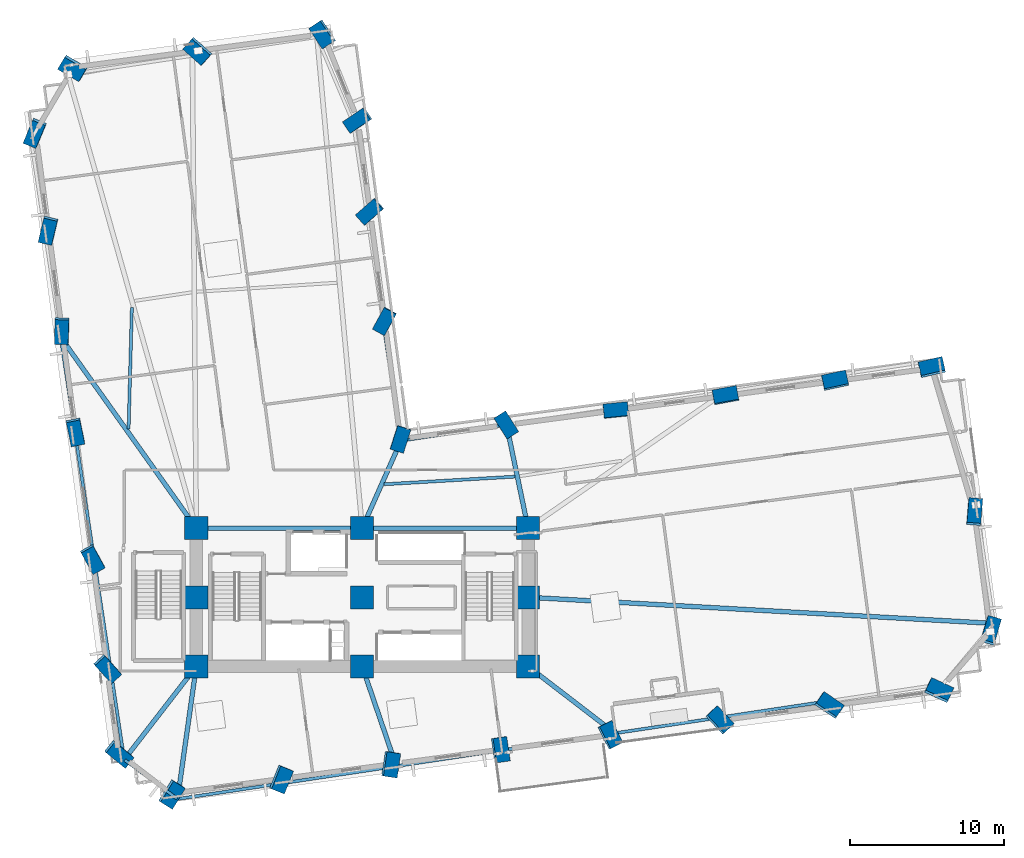
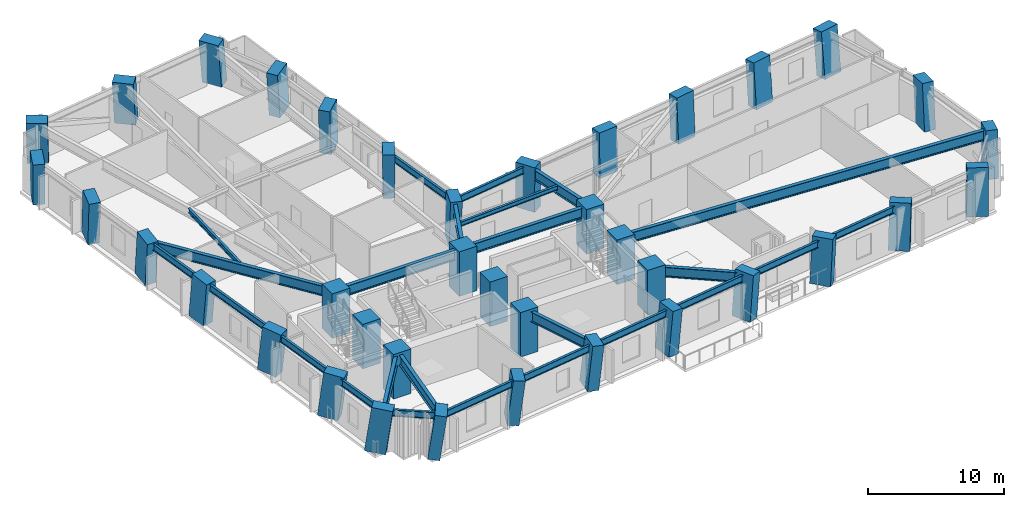
# One storey, part 1 of 14: 38 columns, 25 beams.
"""IFC4 building model written with IfcOpenShell, lengths in metres."""

from ifc_helpers import new_model, si_unit, direction, frame, origin, origin_2d, place, context, subcontext, project, spatial, rectangle, i_section, extrude, material, material_profile, profile_set, type_object, element, save


model = new_model("IFC4")

# Units and contexts
model_context = context("Model", 3, precision=1e-05, world=origin(), true_north=direction((0.0, 1.0)))
body_context = subcontext(model_context, "Body", "Model", "MODEL_VIEW")
ifc_project = project(units=[si_unit("LENGTHUNIT", "METRE"), si_unit("AREAUNIT", "SQUARE_METRE"), si_unit("VOLUMEUNIT", "CUBIC_METRE"), si_unit("PLANEANGLEUNIT", "RADIAN"), si_unit("MASSUNIT", "GRAM", prefix="KILO")], contexts=[model_context])

# Site, building, storey
site_placement = place(None, origin())
site = spatial("IfcSite", under=ifc_project, at=site_placement, CompositionType="ELEMENT")
building_placement = place(site_placement, origin())
building = spatial("IfcBuilding", under=site, at=building_placement, Name="Gaonmaruhae Medical Tower", CompositionType="ELEMENT")
storey_placement = place(building_placement, frame((0.0, 0.0, 55.0)))
storey = spatial("IfcBuildingStorey", under=building, at=storey_placement, Name="L12", CompositionType="ELEMENT", Elevation=55.0)

# Columns
ifc_material_1 = material(Name="Concrete C60/75", Category="concrete")
ifc_material_profile_1 = material_profile(ifc_material_1, rectangle(XDim=1.5, YDim=1.5, at=origin_2d()), Name="RC-1500x1500")
ifc_profile_set_1 = profile_set([ifc_material_profile_1], Name="Concrete C60/75")
column_type_1 = type_object("IfcColumnType", Name="CC-02 Zone 1 Core Column (RC-1500x1500)", PredefinedType="COLUMN", material=ifc_profile_set_1)
for number, where, z_axis, x_axis, name in (
    (1, (14.0, 7.800048828125, 0.0), (0.0, 0.0, 1.0), (1.0, 0.0, 0.0), "L12 Plumb Core Column CC11"),
    (2, (14.0, 12.300048828125, 0.0), (0.0, 0.0, 1.0), (1.0, 0.0, 0.0), "L12 Plumb Core Column CC12"),
    (3, (14.0, 16.800048828125, 0.0), (0.0, 0.0, 1.0), (1.0, 0.0, 0.0), "L12 Plumb Core Column CC13"),
    (4, (24.800048828125, 7.800048828125, 0.0), (0.0, 0.0, 1.0), (1.0, 0.0, 0.0), "L12 Plumb Core Column CC21"),
    (5, (24.800048828125, 12.300048828125, 0.0), (0.0, 0.0, 1.0), (1.0, 0.0, 0.0), "L12 Plumb Core Column CC22"),
    (6, (24.800048828125, 16.800048828125, 0.0), (0.0, 0.0, 1.0), (1.0, 0.0, 0.0), "L12 Plumb Core Column CC23"),
    (7, (35.60009765625, 7.800048828125, 0.0), (0.0, 0.0, 1.0), (1.0, 0.0, 0.0), "L12 Plumb Core Column CC31"),
    (8, (35.60009765625, 12.300048828125, 0.0), (0.0, 0.0, 1.0), (1.0, 0.0, 0.0), "L12 Plumb Core Column CC32"),
    (9, (35.60009765625, 16.800048828125, 0.0), (0.0, 0.0, 1.0), (1.0, 0.0, 0.0), "L12 Plumb Core Column CC33"),
):
    element("IfcColumn", number, at=place(storey_placement, frame(where, z_axis=z_axis, x_axis=x_axis)), inside=storey, type_object=column_type_1, Name=name, PredefinedType="COLUMN", context=body_context, shape_type="SweptSolid", body=[
        extrude(rectangle(XDim=1.5, YDim=1.5, at=origin_2d()), origin(), (0.0, 0.0, 1.0), 4.0),
    ])
ifc_material_profile_2 = material_profile(ifc_material_1, rectangle(XDim=1.60009765625, YDim=0.89990234375, at=origin_2d()), Name="RC-1600x900")
ifc_profile_set_2 = profile_set([ifc_material_profile_2], Name="Concrete C60/75")
column_type_2 = type_object("IfcColumnType", Name="TC-01 Lower Raking Tube Pier Column (RC-1600x900)", PredefinedType="COLUMN", material=ifc_profile_set_2)
column_1_placement = place(storey_placement, frame((12.357177734375, -0.481689453125, 0.001708984375), z_axis=(0.104583468391, -0.086366093399, 0.990758899052), x_axis=(0.530124964571, 0.847729750329, 0.017938571469)))
element("IfcColumn", 10, at=column_1_placement, inside=storey, type_object=column_type_2, Name="L12 Perimeter Tube Column S01", PredefinedType="COLUMN", context=body_context, shape_type="SweptSolid", body=[
    extrude(rectangle(XDim=1.60009765625, YDim=0.89990234375, at=origin_2d()), origin(), (0.0, 0.0, 1.0), 4.033935546875),
])
column_2_placement = place(storey_placement, frame((19.493896484375, 0.470458984375, 0.001708984375), z_axis=(0.100662281342, -0.057217921221, 0.993273987682), x_axis=(0.375615177917, 0.926649194649, 0.015313659767)))
element("IfcColumn", 11, at=column_2_placement, inside=storey, type_object=column_type_2, Name="L12 Perimeter Tube Column S02", PredefinedType="COLUMN", context=body_context, shape_type="SweptSolid", body=[
    extrude(rectangle(XDim=1.60009765625, YDim=0.89990234375, at=origin_2d()), origin(), (0.0, 0.0, 1.0), 4.023681640625),
])
column_3_placement = place(storey_placement, frame((26.630615234375, 1.4228515625, 0.001708984375), z_axis=(0.096696373059, -0.027957468012, 0.994921198598), x_axis=(0.148903026173, 0.988762188651, 0.013312516319)))
element("IfcColumn", 12, at=column_3_placement, inside=storey, type_object=column_type_2, Name="L12 Perimeter Tube Column S03", PredefinedType="COLUMN", context=body_context, shape_type="SweptSolid", body=[
    extrude(rectangle(XDim=1.60009765625, YDim=0.89990234375, at=origin_2d()), origin(), (0.0, 0.0, 1.0), 4.01708984375),
])
column_4_placement = place(storey_placement, frame((33.767578125, 2.375244140625, 0.001708984375), z_axis=(0.092515284398, 0.001459807249, 0.995710194341), x_axis=(-0.147311180333, 0.989014492108, 0.012237260689)))
element("IfcColumn", 13, at=column_4_placement, inside=storey, type_object=column_type_2, Name="L12 Perimeter Tube Column S04", PredefinedType="COLUMN", context=body_context, shape_type="SweptSolid", body=[
    extrude(rectangle(XDim=1.60009765625, YDim=0.89990234375, at=origin_2d()), origin(), (0.0, 0.0, 1.0), 4.013916015625),
])
column_5_placement = place(storey_placement, frame((40.904296875, 3.327392578125, 0.001708984375), z_axis=(0.088309786879, 0.030896261525, 0.995613781828), x_axis=(-0.451622763535, 0.892123181344, 0.012373712677)))
element("IfcColumn", 14, at=column_5_placement, inside=storey, type_object=column_type_2, Name="L12 Perimeter Tube Column S05", PredefinedType="COLUMN", context=body_context, shape_type="SweptSolid", body=[
    extrude(rectangle(XDim=1.60009765625, YDim=0.89990234375, at=origin_2d()), origin(), (0.0, 0.0, 1.0), 4.01416015625),
])
column_6_placement = place(storey_placement, frame((48.041015625, 4.27978515625, 0.001708984375), z_axis=(0.084091496112, 0.060212913762, 0.994637132475), x_axis=(-0.684023810281, 0.729331418583, 0.01367877322)))
element("IfcColumn", 15, at=column_6_placement, inside=storey, type_object=column_type_2, Name="L12 Perimeter Tube Column S06", PredefinedType="COLUMN", context=body_context, shape_type="SweptSolid", body=[
    extrude(rectangle(XDim=1.60009765625, YDim=0.89990234375, at=origin_2d()), origin(), (0.0, 0.0, 1.0), 4.01806640625),
])
column_7_placement = place(storey_placement, frame((55.177734375, 5.23193359375, 0.001708984375), z_axis=(0.079750924179, 0.08945445868, 0.992792873622), x_axis=(-0.82725165899, 0.561607933278, 0.015849983506)))
element("IfcColumn", 16, at=column_7_placement, inside=storey, type_object=column_type_2, Name="L12 Perimeter Tube Column S07", PredefinedType="COLUMN", context=body_context, shape_type="SweptSolid", body=[
    extrude(rectangle(XDim=1.60009765625, YDim=0.89990234375, at=origin_2d()), origin(), (0.0, 0.0, 1.0), 4.025634765625),
])
column_8_placement = place(storey_placement, frame((62.314453125, 6.184326171875, 0.001708984375), z_axis=(0.075420837867, 0.118483898461, 0.990087502709), x_axis=(-0.906496036526, 0.421805500861, 0.018575661659)))
element("IfcColumn", 17, at=column_8_placement, inside=storey, type_object=column_type_2, Name="L12 Perimeter Tube Column S08", PredefinedType="COLUMN", context=body_context, shape_type="SweptSolid", body=[
    extrude(rectangle(XDim=1.60009765625, YDim=0.89990234375, at=origin_2d()), origin(), (0.0, 0.0, 1.0), 4.03662109375),
])
column_9_placement = place(storey_placement, frame((65.680908203125, 10.063720703125, 0.001708984375), z_axis=(0.059355618192, 0.132069272658, 0.989461781884), x_axis=(-0.281414427626, -0.948792526854, 0.143522335926)))
element("IfcColumn", 18, at=column_9_placement, inside=storey, type_object=column_type_2, Name="L12 Perimeter Tube Column E01", PredefinedType="COLUMN", context=body_context, shape_type="SweptSolid", body=[
    extrude(rectangle(XDim=1.60009765625, YDim=0.89990234375, at=origin_2d()), origin(), (0.0, 0.0, 1.0), 4.0390625),
])
column_10_placement = place(storey_placement, frame((64.649169921875, 17.795166015625, 0.001708984375), z_axis=(0.027737563791, 0.127847155378, 0.991405937251), x_axis=(-0.079107913013, -0.988396190327, 0.129672314108)))
element("IfcColumn", 19, at=column_10_placement, inside=storey, type_object=column_type_2, Name="L12 Perimeter Tube Column E02", PredefinedType="COLUMN", context=body_context, shape_type="SweptSolid", body=[
    extrude(rectangle(XDim=1.60009765625, YDim=0.89990234375, at=origin_2d()), origin(), (0.0, 0.0, 1.0), 4.03125),
])
column_11_placement = place(storey_placement, frame((61.87939453125, 27.21142578125, 0.001708984375), z_axis=(-0.01085970606, 0.11636266046, 0.993147420092), x_axis=(-0.974721493015, -0.222888100092, 0.015456580863)))
element("IfcColumn", 20, at=column_11_placement, inside=storey, type_object=column_type_2, Name="L12 Perimeter Tube Column E03", PredefinedType="COLUMN", context=body_context, shape_type="SweptSolid", body=[
    extrude(rectangle(XDim=1.60009765625, YDim=0.89990234375, at=origin_2d()), origin(), (0.0, 0.0, 1.0), 4.024169921875),
])
column_12_placement = place(storey_placement, frame((55.585205078125, 26.37158203125, 0.001708984375), z_axis=(-0.007239239153, 0.090703408213, 0.995851638124), x_axis=(-0.977594963145, -0.21015057651, 0.012034252227)))
element("IfcColumn", 21, at=column_12_placement, inside=storey, type_object=column_type_2, Name="L12 Perimeter Tube Column EN01", PredefinedType="COLUMN", context=body_context, shape_type="SweptSolid", body=[
    extrude(rectangle(XDim=1.60009765625, YDim=0.89990234375, at=origin_2d()), origin(), (0.0, 0.0, 1.0), 4.01318359375),
])
column_13_placement = place(storey_placement, frame((48.448486328125, 25.41943359375, 0.001708984375), z_axis=(-0.003048590926, 0.061398621247, 0.998108669135), x_axis=(-0.98344957441, -0.180999535302, 0.008130363673)))
element("IfcColumn", 22, at=column_13_placement, inside=storey, type_object=column_type_2, Name="L12 Perimeter Tube Column EN02", PredefinedType="COLUMN", context=body_context, shape_type="SweptSolid", body=[
    extrude(rectangle(XDim=1.60009765625, YDim=0.89990234375, at=origin_2d()), origin(), (0.0, 0.0, 1.0), 4.004150390625),
])
column_14_placement = place(storey_placement, frame((41.311767578125, 24.467041015625, 0.001708984375), z_axis=(0.001099008832, 0.03199336823, 0.999487476945), x_axis=(-0.995169392808, -0.098081366019, 0.004233823144)))
element("IfcColumn", 23, at=column_14_placement, inside=storey, type_object=column_type_2, Name="L12 Perimeter Tube Column EN03", PredefinedType="COLUMN", context=body_context, shape_type="SweptSolid", body=[
    extrude(rectangle(XDim=1.60009765625, YDim=0.89990234375, at=origin_2d()), origin(), (0.0, 0.0, 1.0), 3.99853515625),
])
column_15_placement = place(storey_placement, frame((34.175048828125, 23.5146484375, 0.001708984375), z_axis=(0.005314508959, 0.002443452395, 0.999982892621), x_axis=(-0.534225748842, 0.845341499516, 0.000773609051)))
element("IfcColumn", 24, at=column_15_placement, inside=storey, type_object=column_type_2, Name="L12 Perimeter Tube Column EN04", PredefinedType="COLUMN", context=body_context, shape_type="SweptSolid", body=[
    extrude(rectangle(XDim=1.60009765625, YDim=0.89990234375, at=origin_2d()), origin(), (0.0, 0.0, 1.0), 3.99658203125),
])
column_16_placement = place(storey_placement, frame((27.2861328125, 22.595458984375, 0.001708984375), z_axis=(0.009342779553, -0.026074293262, 0.999616348256), x_axis=(0.303914659334, 0.952445133146, 0.022003367683)))
element("IfcColumn", 25, at=column_16_placement, inside=storey, type_object=column_type_2, Name="L12 Perimeter Tube Column KN01", PredefinedType="COLUMN", context=body_context, shape_type="SweptSolid", body=[
    extrude(rectangle(XDim=1.60009765625, YDim=0.89990234375, at=origin_2d()), origin(), (0.0, 0.0, 1.0), 3.998046875),
])
column_17_placement = place(storey_placement, frame((26.260986328125, 30.27734375, 0.001708984375), z_axis=(-0.022402943156, -0.030582764363, 0.999281142953), x_axis=(0.478639719495, 0.877206908707, 0.037577363367)))
element("IfcColumn", 26, at=column_17_placement, inside=storey, type_object=column_type_2, Name="L12 Perimeter Tube Column NE01", PredefinedType="COLUMN", context=body_context, shape_type="SweptSolid", body=[
    extrude(rectangle(XDim=1.60009765625, YDim=0.89990234375, at=origin_2d()), origin(), (0.0, 0.0, 1.0), 3.99951171875),
])
column_18_placement = place(storey_placement, frame((25.308837890625, 37.414306640625, 0.001708984375), z_axis=(-0.051944682032, -0.034751723895, 0.998045123076), x_axis=(0.748695807383, 0.660012861468, 0.061948451981)))
element("IfcColumn", 27, at=column_18_placement, inside=storey, type_object=column_type_2, Name="L12 Perimeter Tube Column NE02", PredefinedType="COLUMN", context=body_context, shape_type="SweptSolid", body=[
    extrude(rectangle(XDim=1.60009765625, YDim=0.89990234375, at=origin_2d()), origin(), (0.0, 0.0, 1.0), 4.00439453125),
])
column_19_placement = place(storey_placement, frame((24.51513671875, 43.361572265625, 0.001708984375), z_axis=(-0.076324130857, -0.038162065429, 0.99635248974), x_axis=(0.824189501878, 0.559961890476, 0.084583368398)))
element("IfcColumn", 28, at=column_19_placement, inside=storey, type_object=column_type_2, Name="L12 Perimeter Tube Column NE03", PredefinedType="COLUMN", context=body_context, shape_type="SweptSolid", body=[
    extrude(rectangle(XDim=1.60009765625, YDim=0.89990234375, at=origin_2d()), origin(), (0.0, 0.0, 1.0), 4.01123046875),
])
column_20_placement = place(storey_placement, frame((22.254638671875, 48.961669921875, 0.001708984375), z_axis=(-0.099150741253, -0.047541353583, 0.9939360896), x_axis=(0.547089007496, -0.836948101272, 0.014542821377)))
element("IfcColumn", 29, at=column_20_placement, inside=storey, type_object=column_type_2, Name="L12 Perimeter Tube Column N01", PredefinedType="COLUMN", context=body_context, shape_type="SweptSolid", body=[
    extrude(rectangle(XDim=1.60009765625, YDim=0.89990234375, at=origin_2d()), origin(), (0.0, 0.0, 1.0), 4.02099609375),
])
column_21_placement = place(storey_placement, frame((14.126708984375, 47.877197265625, 0.001708984375), z_axis=(-0.0942550357, -0.080919918109, 0.992253977114), x_axis=(0.745242646619, -0.666590927141, 0.016429653498)))
element("IfcColumn", 30, at=column_21_placement, inside=storey, type_object=column_type_2, Name="L12 Perimeter Tube Column N02", PredefinedType="COLUMN", context=body_context, shape_type="SweptSolid", body=[
    extrude(rectangle(XDim=1.60009765625, YDim=0.89990234375, at=origin_2d()), origin(), (0.0, 0.0, 1.0), 4.02783203125),
])
column_22_placement = place(storey_placement, frame((5.998779296875, 46.79248046875, 0.001708984375), z_axis=(-0.089275820597, -0.113936981601, 0.989468641282), x_axis=(0.86094163533, -0.508343404316, 0.019143767761)))
element("IfcColumn", 31, at=column_22_placement, inside=storey, type_object=column_type_2, Name="L12 Perimeter Tube Column N03", PredefinedType="COLUMN", context=body_context, shape_type="SweptSolid", body=[
    extrude(rectangle(XDim=1.60009765625, YDim=0.89990234375, at=origin_2d()), origin(), (0.0, 0.0, 1.0), 4.0390625),
])
column_23_placement = place(storey_placement, frame((3.5341796875, 42.57958984375, 0.001708984375), z_axis=(-0.071883508788, -0.123937084117, 0.98968295951), x_axis=(0.377774089532, 0.914941616728, 0.142016109148)))
element("IfcColumn", 32, at=column_23_placement, inside=storey, type_object=column_type_2, Name="L12 Perimeter Tube Column W01", PredefinedType="COLUMN", context=body_context, shape_type="SweptSolid", body=[
    extrude(rectangle(XDim=1.60009765625, YDim=0.89990234375, at=origin_2d()), origin(), (0.0, 0.0, 1.0), 4.038330078125),
])
column_24_placement = place(storey_placement, frame((4.380859375, 36.23583984375, 0.001708984375), z_axis=(-0.0460385753, -0.120487797725, 0.991646681124), x_axis=(0.227297063468, 0.965396391624, 0.127850897445)))
element("IfcColumn", 33, at=column_24_placement, inside=storey, type_object=column_type_2, Name="L12 Perimeter Tube Column W02", PredefinedType="COLUMN", context=body_context, shape_type="SweptSolid", body=[
    extrude(rectangle(XDim=1.60009765625, YDim=0.89990234375, at=origin_2d()), origin(), (0.0, 0.0, 1.0), 4.0302734375),
])
column_25_placement = place(storey_placement, frame((5.253662109375, 29.69384765625, 0.001708984375), z_axis=(-0.019167847977, -0.116826820265, 0.992967314503), x_axis=(0.028843585156, 0.992671797796, 0.11734883662)))
element("IfcColumn", 34, at=column_25_placement, inside=storey, type_object=column_type_2, Name="L12 Perimeter Tube Column W03", PredefinedType="COLUMN", context=body_context, shape_type="SweptSolid", body=[
    extrude(rectangle(XDim=1.60009765625, YDim=0.89990234375, at=origin_2d()), origin(), (0.0, 0.0, 1.0), 4.02490234375),
])
column_26_placement = place(storey_placement, frame((6.13330078125, 23.102294921875, 0.001708984375), z_axis=(0.007890177532, -0.1130723134, 0.993555432294), x_axis=(-0.200490060947, 0.973232171477, 0.112351572595)))
element("IfcColumn", 35, at=column_26_placement, inside=storey, type_object=column_type_2, Name="L12 Perimeter Tube Column W04", PredefinedType="COLUMN", context=body_context, shape_type="SweptSolid", body=[
    extrude(rectangle(XDim=1.60009765625, YDim=0.89990234375, at=origin_2d()), origin(), (0.0, 0.0, 1.0), 4.0224609375),
])
column_27_placement = place(storey_placement, frame((7.237548828125, 14.82568359375, 0.001708984375), z_axis=(0.041986855269, -0.10818289443, 0.993243960635), x_axis=(-0.479510058518, 0.869965068646, 0.115025575925)))
element("IfcColumn", 36, at=column_27_placement, inside=storey, type_object=column_type_2, Name="L12 Perimeter Tube Column W05", PredefinedType="COLUMN", context=body_context, shape_type="SweptSolid", body=[
    extrude(rectangle(XDim=1.60009765625, YDim=0.89990234375, at=origin_2d()), origin(), (0.0, 0.0, 1.0), 4.023681640625),
])
column_28_placement = place(storey_placement, frame((8.18994140625, 7.688720703125, 0.001708984375), z_axis=(0.071206194671, -0.103870142695, 0.992038644054), x_axis=(-0.66508150419, 0.736263995818, 0.124827566051)))
element("IfcColumn", 37, at=column_28_placement, inside=storey, type_object=column_type_2, Name="L12 Perimeter Tube Column W06", PredefinedType="COLUMN", context=body_context, shape_type="SweptSolid", body=[
    extrude(rectangle(XDim=1.60009765625, YDim=0.89990234375, at=origin_2d()), origin(), (0.0, 0.0, 1.0), 4.028564453125),
])
column_29_placement = place(storey_placement, frame((8.9306640625, 2.137939453125, 0.001708984375), z_axis=(0.093846485849, -0.100502264988, 0.990500949937), x_axis=(-0.766734755171, 0.627328206599, 0.136297969238)))
element("IfcColumn", 38, at=column_29_placement, inside=storey, type_object=column_type_2, Name="L12 Perimeter Tube Column W07", PredefinedType="COLUMN", context=body_context, shape_type="SweptSolid", body=[
    extrude(rectangle(XDim=1.60009765625, YDim=0.89990234375, at=origin_2d()), origin(), (0.0, 0.0, 1.0), 4.034912109375),
])

# Beams
ifc_material_2 = material(Name="Steel SM355", Category="steel")
ifc_material_profile_3 = material_profile(ifc_material_2, i_section(OverallWidth=0.199951171875, OverallDepth=0.39990234375, WebThickness=0.008056640625, FlangeThickness=0.012939453125, FilletRadius=0.012939453125, at=origin_2d()), Name="H-400x200x8x13")
ifc_profile_set_3 = profile_set([ifc_material_profile_3], Name="Steel SM355")
beam_type_1 = type_object("IfcBeamType", Name="FJ-01 Lower Zone Ward Floor Joist (H-400x200x8x13)", PredefinedType="JOIST", material=ifc_profile_set_3)
beam_1_placement = place(storey_placement, frame((34.74072265625, 20.153076171875, 3.580078125), z_axis=(-0.998294670114, -0.058375950711, 0.0), x_axis=(0.058375950711, -0.998294670114, 0.0)))
element("IfcBeam", 39, at=beam_1_placement, inside=storey, type_object=beam_type_1, Name="L12 Secondary Floor Joist FJ06", PredefinedType="JOIST", context=body_context, shape_type="SweptSolid", body=[
    extrude(i_section(OverallWidth=0.199951171875, OverallDepth=0.39990234375, WebThickness=0.008056640625, FlangeThickness=0.012939453125, FilletRadius=0.012939453125, at=origin_2d()), origin(), (0.0, 0.0, 1.0), 8.519287109375),
])
beam_2_placement = place(storey_placement, frame((9.80810546875, 31.16552734375, 3.580078125), z_axis=(-0.026944558206, -0.999636929481, 0.0), x_axis=(0.999636929481, -0.026944558206, 0.0)))
element("IfcBeam", 40, at=beam_2_placement, inside=storey, type_object=beam_type_1, Name="L12 Secondary Floor Joist FJ10", PredefinedType="JOIST", context=body_context, shape_type="SweptSolid", body=[
    extrude(i_section(OverallWidth=0.199951171875, OverallDepth=0.39990234375, WebThickness=0.008056640625, FlangeThickness=0.012939453125, FilletRadius=0.012939453125, at=origin_2d()), origin(), (0.0, 0.0, 1.0), 7.901123046875),
])
ifc_material_3 = material(Name="Steel SM420", Category="steel")
ifc_material_profile_4 = material_profile(ifc_material_3, i_section(OverallWidth=0.300048828125, OverallDepth=0.89990234375, WebThickness=0.01611328125, FlangeThickness=0.028076171875, FilletRadius=0.01806640625, at=origin_2d()), Name="H-900x300x16x28")
ifc_profile_set_4 = profile_set([ifc_material_profile_4], Name="Steel SM420")
beam_type_2 = type_object("IfcBeamType", Name="PG-01 Zone 1 Radial Floor Girder (H-900x300x16x28)", PredefinedType="BEAM", material=ifc_profile_set_4)
for number, where, z_axis, x_axis, name in (
    (41, (14.050048828125, 16.800048828125, 3.330078125), (1.0, 0.0, 0.0), (0.0, 1.0, 0.0), "L12 Beam BM-L12-CG-N1"),
    (42, (24.85009765625, 16.800048828125, 3.330078125), (1.0, 0.0, 0.0), (0.0, 1.0, 0.0), "L12 Beam BM-L12-CG-N2"),
):
    element("IfcBeam", number, at=place(storey_placement, frame(where, z_axis=z_axis, x_axis=x_axis)), inside=storey, type_object=beam_type_2, Name=name, PredefinedType="BEAM", context=body_context, shape_type="SweptSolid", body=[
        extrude(i_section(OverallWidth=0.300048828125, OverallDepth=0.89990234375, WebThickness=0.01611328125, FlangeThickness=0.028076171875, FilletRadius=0.01806640625, at=origin_2d()), origin(), (0.0, 0.0, 1.0), 10.699951171875),
    ])
beam_3_placement = place(storey_placement, frame((13.992919921875, 7.75048828125, 3.330078125), z_axis=(-0.140060569498, -0.990142937596, 0.0), x_axis=(0.990142937596, -0.140060569498, 0.0)))
element("IfcBeam", 43, at=beam_3_placement, inside=storey, type_object=beam_type_2, Name="L12 Radial Primary Girder S01", PredefinedType="BEAM", context=body_context, shape_type="SweptSolid", body=[
    extrude(i_section(OverallWidth=0.300048828125, OverallDepth=0.89990234375, WebThickness=0.01611328125, FlangeThickness=0.028076171875, FilletRadius=0.01806640625, at=origin_2d()), origin(), (0.0, 0.0, 1.0), 8.6162109375),
])
beam_4_placement = place(storey_placement, frame((24.816162109375, 7.752685546875, 3.330078125), z_axis=(0.323565977797, -0.946205610855, 0.0), x_axis=(0.946205610855, 0.323565977797, 0.0)))
element("IfcBeam", 44, at=beam_4_placement, inside=storey, type_object=beam_type_2, Name="L12 Radial Primary Girder S03", PredefinedType="BEAM", context=body_context, shape_type="SweptSolid", body=[
    extrude(i_section(OverallWidth=0.300048828125, OverallDepth=0.89990234375, WebThickness=0.01611328125, FlangeThickness=0.028076171875, FilletRadius=0.01806640625, at=origin_2d()), origin(), (0.0, 0.0, 1.0), 6.75830078125),
])
beam_5_placement = place(storey_placement, frame((35.6396484375, 7.76953125, 3.330078125), z_axis=(0.792938582893, -0.609301570456, 0.0), x_axis=(0.609301570456, 0.792938582893, 0.0)))
element("IfcBeam", 45, at=beam_5_placement, inside=storey, type_object=beam_type_2, Name="L12 Radial Primary Girder S05", PredefinedType="BEAM", context=body_context, shape_type="SweptSolid", body=[
    extrude(i_section(OverallWidth=0.300048828125, OverallDepth=0.89990234375, WebThickness=0.01611328125, FlangeThickness=0.028076171875, FilletRadius=0.01806640625, at=origin_2d()), origin(), (0.0, 0.0, 1.0), 7.036865234375),
])
beam_6_placement = place(storey_placement, frame((35.64990234375, 12.297119140625, 3.330078125), z_axis=(0.998427093377, -0.056065490375, 0.0), x_axis=(0.056065490375, 0.998427093377, 0.0)))
element("IfcBeam", 46, at=beam_6_placement, inside=storey, type_object=beam_type_2, Name="L12 Radial Primary Girder E01", PredefinedType="BEAM", context=body_context, shape_type="SweptSolid", body=[
    extrude(i_section(OverallWidth=0.300048828125, OverallDepth=0.89990234375, WebThickness=0.01611328125, FlangeThickness=0.028076171875, FilletRadius=0.01806640625, at=origin_2d()), origin(), (0.0, 0.0, 1.0), 30.2685546875),
])
beam_7_placement = place(storey_placement, frame((35.58984375, 16.848876953125, 3.330078125), z_axis=(-0.204341646842, 0.978899632938, 0.0), x_axis=(-0.978899632938, -0.204341646842, 0.0)))
element("IfcBeam", 47, at=beam_7_placement, inside=storey, type_object=beam_type_2, Name="L12 Radial Primary Girder EN04", PredefinedType="BEAM", context=body_context, shape_type="SweptSolid", body=[
    extrude(i_section(OverallWidth=0.300048828125, OverallDepth=0.89990234375, WebThickness=0.01611328125, FlangeThickness=0.028076171875, FilletRadius=0.01806640625, at=origin_2d()), origin(), (0.0, 0.0, 1.0), 6.76953125),
])
beam_8_placement = place(storey_placement, frame((24.8203125, 16.845703125, 3.330078125), z_axis=(0.405332155201, 0.91416948317, 0.0), x_axis=(-0.91416948317, 0.405332155201, 0.0)))
element("IfcBeam", 48, at=beam_8_placement, inside=storey, type_object=beam_type_2, Name="L12 Radial Primary Girder KN01", PredefinedType="BEAM", context=body_context, shape_type="SweptSolid", body=[
    extrude(i_section(OverallWidth=0.300048828125, OverallDepth=0.89990234375, WebThickness=0.01611328125, FlangeThickness=0.028076171875, FilletRadius=0.01806640625, at=origin_2d()), origin(), (0.0, 0.0, 1.0), 6.125732421875),
])
beam_9_placement = place(storey_placement, frame((13.970947265625, 16.8408203125, 3.330078125), z_axis=(-0.579051440036, 0.815291009267, 0.0), x_axis=(-0.815291009267, -0.579051440036, 0.0)))
element("IfcBeam", 49, at=beam_9_placement, inside=storey, type_object=beam_type_2, Name="L12 Radial Primary Girder W03", PredefinedType="BEAM", context=body_context, shape_type="SweptSolid", body=[
    extrude(i_section(OverallWidth=0.300048828125, OverallDepth=0.89990234375, WebThickness=0.01611328125, FlangeThickness=0.028076171875, FilletRadius=0.01806640625, at=origin_2d()), origin(), (0.0, 0.0, 1.0), 15.137939453125),
])
beam_10_placement = place(storey_placement, frame((13.969482421875, 7.760498046875, 3.330078125), z_axis=(-0.611604462349, -0.791163688269, 0.0), x_axis=(0.791163688269, -0.611604462349, 0.0)))
element("IfcBeam", 50, at=beam_10_placement, inside=storey, type_object=beam_type_2, Name="L12 Radial Primary Girder W07", PredefinedType="BEAM", context=body_context, shape_type="SweptSolid", body=[
    extrude(i_section(OverallWidth=0.300048828125, OverallDepth=0.89990234375, WebThickness=0.01611328125, FlangeThickness=0.028076171875, FilletRadius=0.01806640625, at=origin_2d()), origin(), (0.0, 0.0, 1.0), 7.5693359375),
])
ifc_material_profile_5 = material_profile(ifc_material_2, i_section(OverallWidth=0.199951171875, OverallDepth=0.60009765625, WebThickness=0.010986328125, FlangeThickness=0.01708984375, FilletRadius=0.012939453125, at=origin_2d()), Name="H-600x200x11x17")
ifc_profile_set_5 = profile_set([ifc_material_profile_5], Name="Steel SM355")
beam_type_3 = type_object("IfcBeamType", Name="SP-01 Lower Perimeter Spandrel Beam (H-600x200x11x17)", PredefinedType="SPANDREL", material=ifc_profile_set_5)
beam_11_placement = place(storey_placement, frame((12.818603515625, -0.824462890625, 3.47998046875), z_axis=(0.988885994747, 0.148675786173, 0.0), x_axis=(-0.148675786173, 0.988885994747, 0.0)))
element("IfcBeam", 51, at=beam_11_placement, inside=storey, type_object=beam_type_3, Name="L12 Perimeter Spandrel Beam S01-S02", PredefinedType="SPANDREL", context=body_context, shape_type="SweptSolid", body=[
    extrude(i_section(OverallWidth=0.199951171875, OverallDepth=0.60009765625, WebThickness=0.010986328125, FlangeThickness=0.01708984375, FilletRadius=0.012939453125, at=origin_2d()), origin(), (0.0, 0.0, 1.0), 7.1201171875),
])
beam_12_placement = place(storey_placement, frame((19.938720703125, 0.24609375, 3.47998046875), z_axis=(0.988885236774, 0.148680827582, 0.0), x_axis=(-0.148680827582, 0.988885236774, 0.0)))
element("IfcBeam", 52, at=beam_12_placement, inside=storey, type_object=beam_type_3, Name="L12 Perimeter Spandrel Beam S02-S03", PredefinedType="SPANDREL", context=body_context, shape_type="SweptSolid", body=[
    extrude(i_section(OverallWidth=0.199951171875, OverallDepth=0.60009765625, WebThickness=0.010986328125, FlangeThickness=0.01708984375, FilletRadius=0.012939453125, at=origin_2d()), origin(), (0.0, 0.0, 1.0), 7.119873046875),
])
beam_13_placement = place(storey_placement, frame((27.05859375, 1.31640625, 3.47998046875), z_axis=(0.988885994747, 0.148675786173, 0.0), x_axis=(-0.148675786173, 0.988885994747, 0.0)))
element("IfcBeam", 53, at=beam_13_placement, inside=storey, type_object=beam_type_3, Name="L12 Perimeter Spandrel Beam S03-S04", PredefinedType="SPANDREL", context=body_context, shape_type="SweptSolid", body=[
    extrude(i_section(OverallWidth=0.199951171875, OverallDepth=0.60009765625, WebThickness=0.010986328125, FlangeThickness=0.01708984375, FilletRadius=0.012939453125, at=origin_2d()), origin(), (0.0, 0.0, 1.0), 7.1201171875),
])
beam_14_placement = place(storey_placement, frame((34.1787109375, 2.386962890625, 3.47998046875), z_axis=(0.988885236774, 0.148680827582, 0.0), x_axis=(-0.148680827582, 0.988885236774, 0.0)))
element("IfcBeam", 54, at=beam_14_placement, inside=storey, type_object=beam_type_3, Name="L12 Perimeter Spandrel Beam S04-S05", PredefinedType="SPANDREL", context=body_context, shape_type="SweptSolid", body=[
    extrude(i_section(OverallWidth=0.199951171875, OverallDepth=0.60009765625, WebThickness=0.010986328125, FlangeThickness=0.01708984375, FilletRadius=0.012939453125, at=origin_2d()), origin(), (0.0, 0.0, 1.0), 7.119873046875),
])
beam_15_placement = place(storey_placement, frame((41.298583984375, 3.457275390625, 3.4599609375), z_axis=(0.988885994747, 0.148675786173, 0.0), x_axis=(-0.148675786173, 0.988885994747, 0.0)))
element("IfcBeam", 55, at=beam_15_placement, inside=storey, type_object=beam_type_3, Name="L12 Perimeter Spandrel Beam S05-S06", PredefinedType="SPANDREL", context=body_context, shape_type="SweptSolid", body=[
    extrude(i_section(OverallWidth=0.199951171875, OverallDepth=0.60009765625, WebThickness=0.010986328125, FlangeThickness=0.01708984375, FilletRadius=0.012939453125, at=origin_2d()), origin(), (0.0, 0.0, 1.0), 7.1201171875),
])
beam_16_placement = place(storey_placement, frame((48.418701171875, 4.52783203125, 3.4599609375), z_axis=(0.988885236774, 0.148680827582, 0.0), x_axis=(-0.148680827582, 0.988885236774, 0.0)))
element("IfcBeam", 56, at=beam_16_placement, inside=storey, type_object=beam_type_3, Name="L12 Perimeter Spandrel Beam S06-S07", PredefinedType="SPANDREL", context=body_context, shape_type="SweptSolid", body=[
    extrude(i_section(OverallWidth=0.199951171875, OverallDepth=0.60009765625, WebThickness=0.010986328125, FlangeThickness=0.01708984375, FilletRadius=0.012939453125, at=origin_2d()), origin(), (0.0, 0.0, 1.0), 7.119873046875),
])
beam_17_placement = place(storey_placement, frame((34.15673828125, 23.5185546875, 3.47998046875), z_axis=(-0.988884420744, -0.148686254946, 0.0), x_axis=(0.148686254946, -0.988884420744, 0.0)))
element("IfcBeam", 57, at=beam_17_placement, inside=storey, type_object=beam_type_3, Name="L12 Perimeter Spandrel Beam EN04-KN01", PredefinedType="SPANDREL", context=body_context, shape_type="SweptSolid", body=[
    extrude(i_section(OverallWidth=0.199951171875, OverallDepth=0.60009765625, WebThickness=0.010986328125, FlangeThickness=0.01708984375, FilletRadius=0.012939453125, at=origin_2d()), origin(), (0.0, 0.0, 1.0), 6.8701171875),
])
beam_18_placement = place(storey_placement, frame((27.317626953125, 22.53076171875, 3.47998046875), z_axis=(-0.148681320841, 0.988885162611, 0.0), x_axis=(-0.988885162611, -0.148681320841, 0.0)))
element("IfcBeam", 58, at=beam_18_placement, inside=storey, type_object=beam_type_3, Name="L12 Perimeter Spandrel Beam KN01-NE01", PredefinedType="SPANDREL", context=body_context, shape_type="SweptSolid", body=[
    extrude(i_section(OverallWidth=0.199951171875, OverallDepth=0.60009765625, WebThickness=0.010986328125, FlangeThickness=0.01708984375, FilletRadius=0.012939453125, at=origin_2d()), origin(), (0.0, 0.0, 1.0), 7.669921875),
])
beam_19_placement = place(storey_placement, frame((5.182373046875, 29.183837890625, 3.47998046875), z_axis=(0.148674788263, -0.988886144779, 0.0), x_axis=(0.988886144779, 0.148674788263, 0.0)))
element("IfcBeam", 59, at=beam_19_placement, inside=storey, type_object=beam_type_3, Name="L12 Perimeter Spandrel Beam W03-W04", PredefinedType="SPANDREL", context=body_context, shape_type="SweptSolid", body=[
    extrude(i_section(OverallWidth=0.199951171875, OverallDepth=0.60009765625, WebThickness=0.010986328125, FlangeThickness=0.01708984375, FilletRadius=0.012939453125, at=origin_2d()), origin(), (0.0, 0.0, 1.0), 6.570068359375),
])
beam_20_placement = place(storey_placement, frame((6.171142578125, 22.607666015625, 3.47998046875), z_axis=(0.148671029378, -0.988886709903, 0.0), x_axis=(0.988886709903, 0.148671029378, 0.0)))
element("IfcBeam", 60, at=beam_20_placement, inside=storey, type_object=beam_type_3, Name="L12 Perimeter Spandrel Beam W04-W05", PredefinedType="SPANDREL", context=body_context, shape_type="SweptSolid", body=[
    extrude(i_section(OverallWidth=0.199951171875, OverallDepth=0.60009765625, WebThickness=0.010986328125, FlangeThickness=0.01708984375, FilletRadius=0.012939453125, at=origin_2d()), origin(), (0.0, 0.0, 1.0), 8.269775390625),
])
beam_21_placement = place(storey_placement, frame((7.41259765625, 14.3505859375, 3.47998046875), z_axis=(0.148642255154, -0.988891035445, 0.0), x_axis=(0.988891035445, 0.148642255154, 0.0)))
element("IfcBeam", 61, at=beam_21_placement, inside=storey, type_object=beam_type_3, Name="L12 Perimeter Spandrel Beam W05-W06", PredefinedType="SPANDREL", context=body_context, shape_type="SweptSolid", body=[
    extrude(i_section(OverallWidth=0.199951171875, OverallDepth=0.60009765625, WebThickness=0.010986328125, FlangeThickness=0.01708984375, FilletRadius=0.012939453125, at=origin_2d()), origin(), (0.0, 0.0, 1.0), 7.1201171875),
])
beam_22_placement = place(storey_placement, frame((8.48291015625, 7.23046875, 3.47998046875), z_axis=(0.148699469639, -0.988882433725, 0.0), x_axis=(0.988882433725, 0.148699469639, 0.0)))
element("IfcBeam", 62, at=beam_22_placement, inside=storey, type_object=beam_type_3, Name="L12 Perimeter Spandrel Beam W06-W07", PredefinedType="SPANDREL", context=body_context, shape_type="SweptSolid", body=[
    extrude(i_section(OverallWidth=0.199951171875, OverallDepth=0.60009765625, WebThickness=0.010986328125, FlangeThickness=0.01708984375, FilletRadius=0.012939453125, at=origin_2d()), origin(), (0.0, 0.0, 1.0), 5.519775390625),
])
beam_23_placement = place(storey_placement, frame((9.341796875, 1.70849609375, 3.47998046875), z_axis=(0.80437984242, -0.594115366834, 0.0), x_axis=(0.594115366834, 0.80437984242, 0.0)))
element("IfcBeam", 63, at=beam_23_placement, inside=storey, type_object=beam_type_3, Name="L12 Perimeter Spandrel Beam W07-S01", PredefinedType="SPANDREL", context=body_context, shape_type="SweptSolid", body=[
    extrude(i_section(OverallWidth=0.199951171875, OverallDepth=0.60009765625, WebThickness=0.010986328125, FlangeThickness=0.01708984375, FilletRadius=0.012939453125, at=origin_2d()), origin(), (0.0, 0.0, 1.0), 4.2333984375),
])

save(model, "model.ifc")
